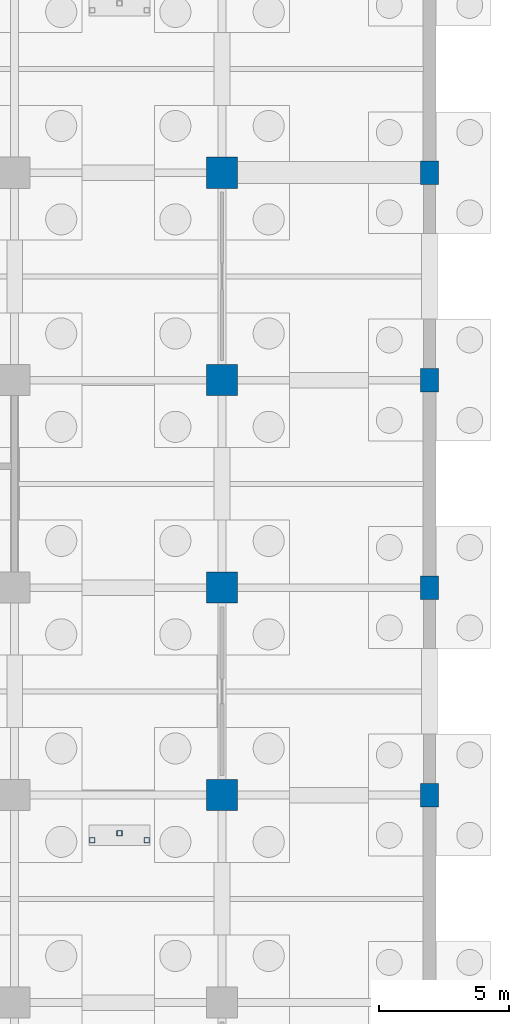
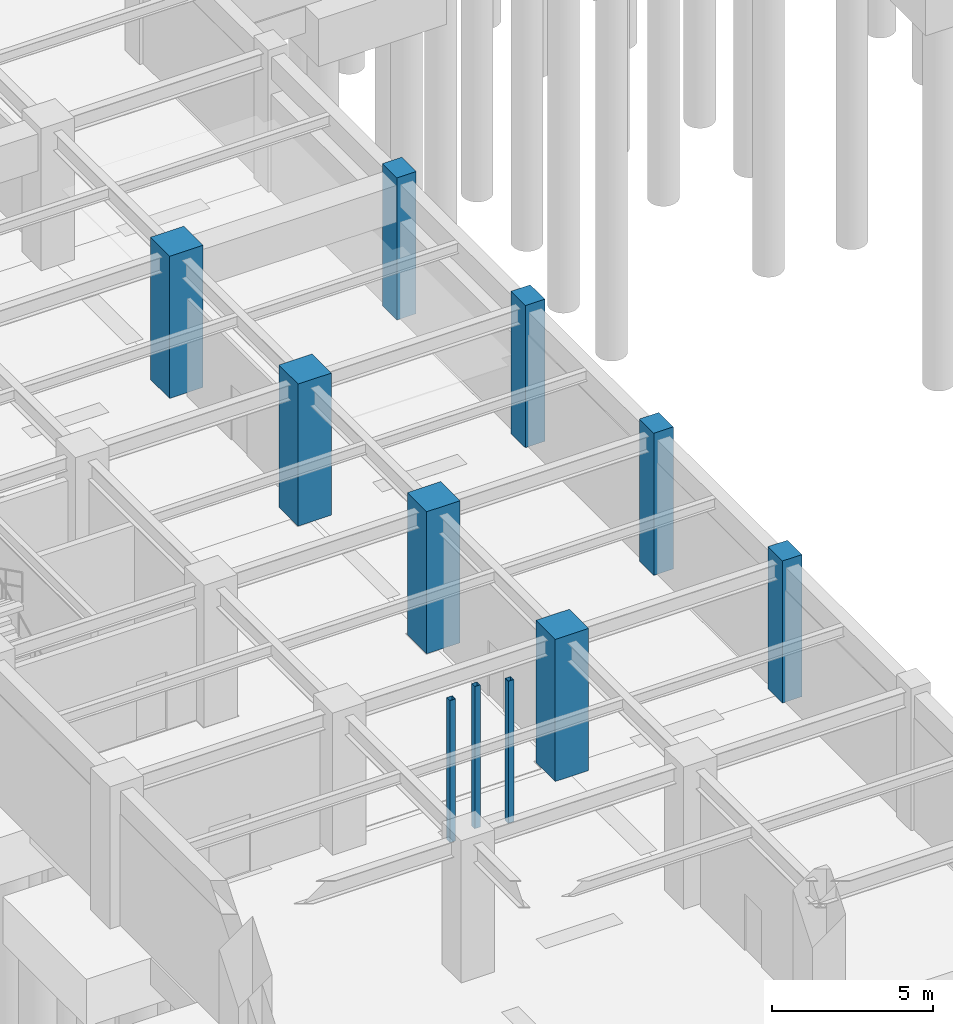
# One storey, part 42 of 97: 11 columns.
"""IFC4 building model written with IfcOpenShell, lengths in metres."""

from ifc_helpers import new_model, si_unit, direction, frame, origin, origin_2d, place, context, subcontext, project, spatial, rectangle, hollow_rectangle, extrude, material, material_profile, profile_set, type_object, element, save


model = new_model("IFC4")

# Units and contexts
model_context = context("Model", 3, precision=1e-05, world=origin(), true_north=direction((0.0, 1.0)))
body_context = subcontext(model_context, "Body", "Model", "MODEL_VIEW")
ifc_project = project(units=[si_unit("LENGTHUNIT", "METRE"), si_unit("AREAUNIT", "SQUARE_METRE"), si_unit("VOLUMEUNIT", "CUBIC_METRE"), si_unit("PLANEANGLEUNIT", "RADIAN"), si_unit("MASSUNIT", "GRAM", prefix="KILO")], contexts=[model_context])

# Site, building, storey
site_placement = place(None, origin())
site = spatial("IfcSite", under=ifc_project, at=site_placement, CompositionType="ELEMENT")
building_placement = place(site_placement, origin())
building = spatial("IfcBuilding", under=site, at=building_placement, Name="Haebicheon Civic Stadium", CompositionType="ELEMENT")
storey_placement = place(building_placement, frame((0.0, 0.0, -5.39990234375)))
storey = spatial("IfcBuildingStorey", under=building, at=storey_placement, Name="B1", CompositionType="ELEMENT", Elevation=-5.39990234375)

# Columns
ifc_material_1 = material(Name="Concrete C40/50", Category="concrete")
ifc_material_profile_1 = material_profile(ifc_material_1, rectangle(XDim=1.199951171875, YDim=1.199951171875, at=origin_2d()), Name="RC-COL-1200x1200")
ifc_profile_set_1 = profile_set([ifc_material_profile_1], Name="Concrete C40/50")
column_type_1 = type_object("IfcColumnType", Name="COL-RC-1200", PredefinedType="COLUMN", material=ifc_profile_set_1)
for number, where, z_axis, x_axis, name in (
    (1, (160.0, 96.0, 0.0), (0.0, 0.0, 1.0), (1.0, 0.0, 0.0), "B1 column 21/N"),
    (2, (160.0, 104.0, 0.0), (0.0, 0.0, 1.0), (1.0, 0.0, 0.0), "B1 column 21/P"),
    (3, (160.0, 112.0, 0.0), (0.0, 0.0, 1.0), (1.0, 0.0, 0.0), "B1 column 21/Q"),
    (4, (160.0, 120.0, 0.0), (0.0, 0.0, 1.0), (1.0, 0.0, 0.0), "B1 column 21/R"),
):
    element("IfcColumn", number, at=place(storey_placement, frame(where, z_axis=z_axis, x_axis=x_axis)), inside=storey, type_object=column_type_1, material=ifc_profile_set_1, Name=name, PredefinedType="COLUMN", context=body_context, shape_type="SweptSolid", body=[
        extrude(rectangle(XDim=1.199951171875, YDim=1.199951171875, at=origin_2d()), origin(), (0.0, 0.0, 1.0), 5.39990234375),
    ])
ifc_material_2 = material(Name="Concrete C40/50", Category="concrete")
ifc_material_profile_2 = material_profile(ifc_material_2, rectangle(XDim=0.699951171875, YDim=0.89990234375, at=origin_2d()), Name="RC-COL-900x700")
ifc_profile_set_2 = profile_set([ifc_material_profile_2], Name="Concrete C40/50")
column_type_2 = type_object("IfcColumnType", Name="COL-RC-900x700", PredefinedType="COLUMN", material=ifc_profile_set_2)
for number, where, z_axis, x_axis, name in (
    (5, (168.0, 96.0, 0.0), (0.0, 0.0, 1.0), (1.0, 0.0, 0.0), "B1 column 22/N"),
    (6, (168.0, 104.0, 0.0), (0.0, 0.0, 1.0), (1.0, 0.0, 0.0), "B1 column 22/P"),
    (7, (168.0, 112.0, 0.0), (0.0, 0.0, 1.0), (1.0, 0.0, 0.0), "B1 column 22/Q"),
    (8, (168.0, 120.0, 0.0), (0.0, 0.0, 1.0), (1.0, 0.0, 0.0), "B1 column 22/R"),
):
    element("IfcColumn", number, at=place(storey_placement, frame(where, z_axis=z_axis, x_axis=x_axis)), inside=storey, type_object=column_type_2, material=ifc_profile_set_2, Name=name, PredefinedType="COLUMN", context=body_context, shape_type="SweptSolid", body=[
        extrude(rectangle(XDim=0.699951171875, YDim=0.89990234375, at=origin_2d()), origin(), (0.0, 0.0, 1.0), 5.39990234375),
    ])
ifc_material_3 = material(Name="Steel SM355 (S355)", Category="steel")
ifc_material_profile_3 = material_profile(ifc_material_3, hollow_rectangle(XDim=0.199951171875, YDim=0.199951171875, WallThickness=0.009033203125, at=origin_2d()), Name="RHS-200x200x9.0")
ifc_profile_set_3 = profile_set([ifc_material_profile_3], Name="Steel SM355 (S355)")
column_type_3 = type_object("IfcColumnType", Name="COL-ST-RHS200", PredefinedType="COLUMN", material=ifc_profile_set_3)
for number, where, z_axis, x_axis, name in (
    (9, (155.0, 94.260009765625, 0.0), (0.0, 0.0, 1.0), (1.0, 0.0, 0.0), "VM-07 B1 vomitory landing support post A"),
    (10, (157.10009765625, 94.260009765625, 0.0), (0.0, 0.0, 1.0), (1.0, 0.0, 0.0), "VM-07 B1 vomitory landing support post B"),
    (11, (156.050048828125, 94.530029296875, 0.0), (0.0, 0.0, 1.0), (1.0, 0.0, 0.0), "VM-07 B1 vomitory landing support post C"),
):
    element("IfcColumn", number, at=place(storey_placement, frame(where, z_axis=z_axis, x_axis=x_axis)), inside=storey, type_object=column_type_3, material=ifc_profile_set_3, Name=name, PredefinedType="COLUMN", context=body_context, shape_type="SweptSolid", body=[
        extrude(hollow_rectangle(XDim=0.199951171875, YDim=0.199951171875, WallThickness=0.009033203125, at=origin_2d()), origin(), (0.0, 0.0, 1.0), 5.39990234375),
    ])

save(model, "model.ifc")
